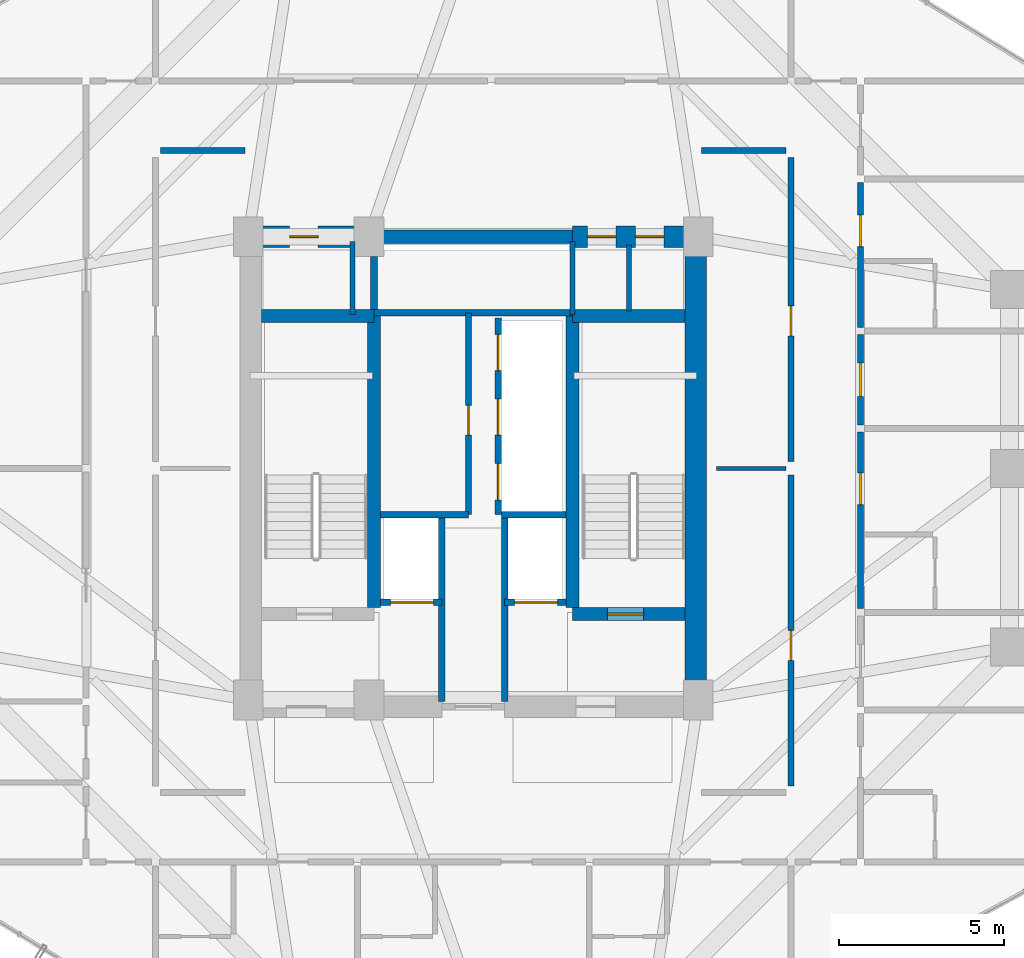
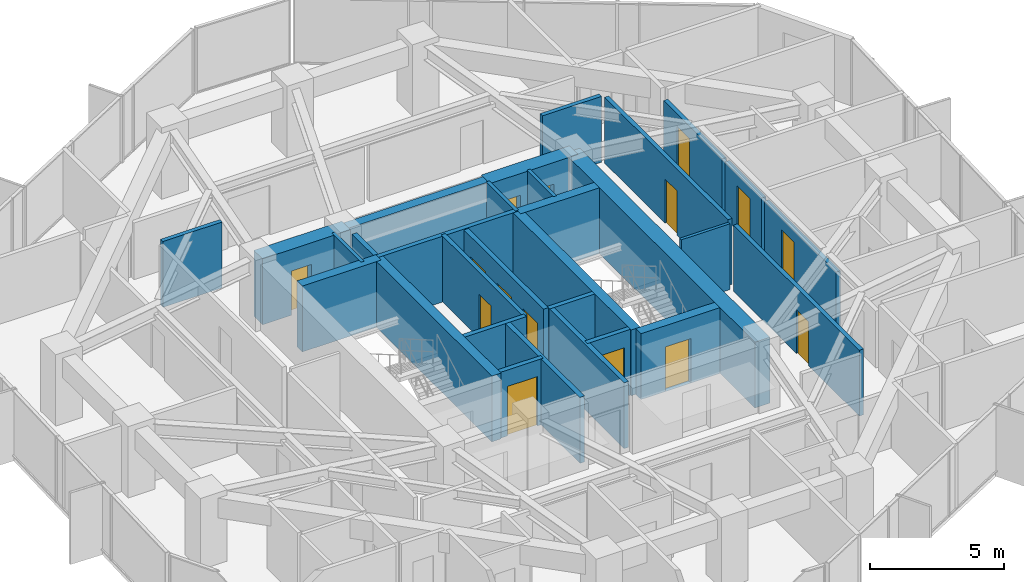
# One storey, part 27 of 30: 30 walls, 15 doors, 15 openings.
"""IFC4 building model written with IfcOpenShell, lengths in metres."""

from ifc_helpers import new_model, si_unit, direction, frame, frame_2d, origin, place, context, subcontext, project, spatial, rectangle, extrude, source, transform, mapped, material, layer, layer_set, type_object, element, fill, save


model = new_model("IFC4")

# Units and contexts
model_context = context("Model", 3, precision=1e-05, world=origin(), true_north=direction((0.0, 1.0)))
body_context = subcontext(model_context, "Body", "Model", "MODEL_VIEW")
ifc_project = project(units=[si_unit("LENGTHUNIT", "METRE"), si_unit("AREAUNIT", "SQUARE_METRE"), si_unit("VOLUMEUNIT", "CUBIC_METRE"), si_unit("PLANEANGLEUNIT", "RADIAN"), si_unit("MASSUNIT", "GRAM", prefix="KILO")], contexts=[model_context])

# Site, building, storey
site_placement = place(None, origin())
site = spatial("IfcSite", under=ifc_project, at=site_placement, CompositionType="ELEMENT")
building_placement = place(site_placement, origin())
building = spatial("IfcBuilding", under=site, at=building_placement, Name="Veraguas Prism Commons", CompositionType="ELEMENT")
storey_placement = place(building_placement, frame((0.0, 0.0, 123.0)))
storey = spatial("IfcBuildingStorey", under=building, at=storey_placement, Name="L34", CompositionType="ELEMENT", Elevation=123.0)

# Wall
ifc_material_1 = material(Name="Concrete C50/60", Category="concrete")
ifc_layer_1 = layer(ifc_material_1, 0.39990234375, Name="Clinic and Mid Core Shear Wall RC 400", Category="concrete")
ifc_layer_set_1 = layer_set([ifc_layer_1], Name="Concrete C50/60")
wall_type_1 = type_object("IfcWallType", Name="Clinic and Mid Core Shear Wall RC 400", PredefinedType="SHEAR", material=ifc_layer_set_1)
wall_1_placement = place(storey_placement, frame((21.0, 31.0, 0.0), z_axis=(0.0, 0.0, 1.0), x_axis=(1.0, 0.0, 0.0)))
element("IfcWall", 1, at=wall_1_placement, inside=storey, type_object=wall_type_1, Name="High-Rise Lift Bank Front Shear Wall L34", PredefinedType="SHEAR", context=body_context, shape_type="SweptSolid", body=[
    extrude(rectangle(XDim=6.0, YDim=0.39990234375, at=frame_2d((3.0, 0.0))), origin(), (0.0, 0.0, 1.0), 3.0),
])

# Wall, opening, door
wall_2_placement = place(storey_placement, frame((27.0, 19.60009765625, 0.0), z_axis=(0.0, 0.0, 1.0), x_axis=(1.0, 0.0, 0.0)))
wall_2 = element("IfcWall", 2, at=wall_2_placement, inside=storey, type_object=wall_type_1, Name="Stair ST-02 South Shear Wall L34", PredefinedType="SHEAR", context=body_context, shape_type="SweptSolid", body=[
    extrude(rectangle(XDim=3.39990234375, YDim=0.39990234375, at=frame_2d((1.699951171875, 0.0))), origin(), (0.0, 0.0, 1.0), 3.0),
])
opening_1_placement = place(wall_2_placement, frame((1.050048828125, 0.0, 0.0)))
opening_1 = element("IfcOpeningElement", 3, at=opening_1_placement, cuts=wall_2, Name="Opening DR-05", PredefinedType="OPENING", context=body_context, shape_type="SweptSolid", body=[
    extrude(rectangle(XDim=1.10009765625, YDim=2.030029296875, at=frame_2d((0.550048828125, 1.01513671875))), frame((0.0, 0.2099609375, 0.0), z_axis=(0.0, -1.0, 0.0), x_axis=(1.0, 0.0, 0.0)), (0.0, 0.0, 1.0), 0.419921875),
])
ifc_material_2 = material(Name="Steel fire-rated door assembly", Category="steel")
door_type_1 = type_object("IfcDoorType", Name="Protected Stair and Refuge Fire Door 1100x2030", OperationType="NOTDEFINED", PredefinedType="DOOR", material=ifc_material_2)
shared_shape_1 = source(origin(), body_context, "Body", "SweptSolid", [
    extrude(rectangle(XDim=1.10009765625, YDim=2.030029296875, at=frame_2d((0.550048828125, 1.01513671875))), frame((0.0, 0.02490234375, 0.0), z_axis=(0.0, -1.0, 0.0), x_axis=(1.0, 0.0, 0.0)), (0.0, 0.0, 1.0), 0.050048828125),
])
door_1_placement = place(opening_1_placement, origin())
door_1 = element("IfcDoor", 4, at=door_1_placement, inside=storey, type_object=door_type_1, Name="Stair ST-02 Enclosure Door L34", OperationType="SINGLE_SWING_LEFT", OverallHeight=2.030029296875, OverallWidth=1.10009765625, PredefinedType="DOOR", context=body_context, shape_type="MappedRepresentation", body=[
    mapped(shared_shape_1, transform((0.0, 0.0, 0.0), scale=1.0)),
])
fill(opening_1, door_1)

# Walls
for number, where, z_axis, x_axis, name in (
    (5, (21.0, 19.800048828125, 0.0), (0.0, 0.0, 1.0), (0.0, 1.0, 0.0), "Stair ST-01 Inner Shear Wall L34"),
    (6, (27.0, 19.800048828125, 0.0), (0.0, 0.0, 1.0), (0.0, 1.0, 0.0), "Stair ST-02 Inner Shear Wall L34"),
):
    element("IfcWall", number, at=place(storey_placement, frame(where, z_axis=z_axis, x_axis=x_axis)), inside=storey, type_object=wall_type_1, Name=name, PredefinedType="SHEAR", context=body_context, shape_type="SweptSolid", body=[
        extrude(rectangle(XDim=8.800048828125, YDim=0.39990234375, at=frame_2d((4.39990234375, 0.0))), origin(), (0.0, 0.0, 1.0), 3.0),
    ])
for number, where, z_axis, x_axis, name in (
    (7, (17.60009765625, 28.60009765625, 0.0), (0.0, 0.0, 1.0), (1.0, 0.0, 0.0), "Stair ST-01 North Shear Wall L34"),
    (8, (27.0, 28.60009765625, 0.0), (0.0, 0.0, 1.0), (1.0, 0.0, 0.0), "Stair ST-02 North Shear Wall L34"),
):
    element("IfcWall", number, at=place(storey_placement, frame(where, z_axis=z_axis, x_axis=x_axis)), inside=storey, type_object=wall_type_1, Name=name, PredefinedType="SHEAR", context=body_context, shape_type="SweptSolid", body=[
        extrude(rectangle(XDim=3.39990234375, YDim=0.39990234375, at=frame_2d((1.699951171875, 0.0))), origin(), (0.0, 0.0, 1.0), 3.0),
    ])
ifc_material_3 = material(Name="Concrete C55/67", Category="concrete")
ifc_layer_2 = layer(ifc_material_3, 0.64990234375, Name="Core Outer Shear Wall Mid RC 650", Category="concrete")
ifc_layer_set_2 = layer_set([ifc_layer_2], Name="Concrete C55/67")
wall_type_2 = type_object("IfcWallType", Name="Core Outer Shear Wall Mid RC 650", PredefinedType="SHEAR", material=ifc_layer_set_2)
wall_3_placement = place(storey_placement, frame((30.72509765625, 16.800048828125, 0.0), z_axis=(0.0, 0.0, 1.0), x_axis=(0.0, 1.0, 0.0)))
element("IfcWall", 9, at=wall_3_placement, inside=storey, type_object=wall_type_2, Name="Central Core East Shear Wall L34", PredefinedType="SHEAR", context=body_context, shape_type="SweptSolid", body=[
    extrude(rectangle(XDim=14.199951171875, YDim=0.64990234375, at=frame_2d((7.10009765625, 0.0))), origin(), (0.0, 0.0, 1.0), 3.0),
])

# Wall, opening, door
wall_4_placement = place(storey_placement, frame((17.199951171875, 31.0, 0.0), z_axis=(0.0, 0.0, 1.0), x_axis=(1.0, 0.0, 0.0)))
wall_4 = element("IfcWall", 10, at=wall_4_placement, inside=storey, type_object=wall_type_2, Name="Central Core North-West Shear Wall L34", PredefinedType="SHEAR", context=body_context, shape_type="SweptSolid", body=[
    extrude(rectangle(XDim=3.800048828125, YDim=0.64990234375, at=frame_2d((1.89990234375, 0.0))), origin(), (0.0, 0.0, 1.0), 3.0),
])
opening_2_placement = place(wall_4_placement, frame((1.25, 0.0, 0.0)))
opening_2 = element("IfcOpeningElement", 11, at=opening_2_placement, cuts=wall_4, Name="Opening DR-12", PredefinedType="OPENING", context=body_context, shape_type="SweptSolid", body=[
    extrude(rectangle(XDim=0.860107421875, YDim=2.010009765625, at=frame_2d((0.43017578125, 1.0048828125))), frame((0.0, 0.3349609375, 0.0), z_axis=(0.0, -1.0, 0.0), x_axis=(1.0, 0.0, 0.0)), (0.0, 0.0, 1.0), 0.669921875),
])
door_type_2 = type_object("IfcDoorType", Name="Core WC Fire Door 860x2010", OperationType="NOTDEFINED", PredefinedType="DOOR", material=ifc_material_2)
shared_shape_2 = source(origin(), body_context, "Body", "SweptSolid", [
    extrude(rectangle(XDim=0.860107421875, YDim=2.010009765625, at=frame_2d((0.43017578125, 1.0048828125))), frame((0.0, 0.02490234375, 0.0), z_axis=(0.0, -1.0, 0.0), x_axis=(1.0, 0.0, 0.0)), (0.0, 0.0, 1.0), 0.050048828125),
])
door_2_placement = place(opening_2_placement, origin())
door_2 = element("IfcDoor", 12, at=door_2_placement, inside=storey, type_object=door_type_2, Name="Core NW Service Door L34", OperationType="SINGLE_SWING_LEFT", OverallHeight=2.010009765625, OverallWidth=0.860107421875, PredefinedType="DOOR", context=body_context, shape_type="MappedRepresentation", body=[
    mapped(shared_shape_2, transform((0.0, 0.0, 0.0), scale=1.0)),
])
fill(opening_2, door_2)

# Wall, openings, doors
wall_5_placement = place(storey_placement, frame((27.0, 31.0, 0.0), z_axis=(0.0, 0.0, 1.0), x_axis=(1.0, 0.0, 0.0)))
wall_5 = element("IfcWall", 13, at=wall_5_placement, inside=storey, type_object=wall_type_2, Name="Central Core North-East Shear Wall L34", PredefinedType="SHEAR", context=body_context, shape_type="SweptSolid", body=[
    extrude(rectangle(XDim=3.800048828125, YDim=0.64990234375, at=frame_2d((1.89990234375, 0.0))), origin(), (0.0, 0.0, 1.0), 3.0),
])
opening_3_placement = place(wall_5_placement, frame((0.449951171875, 0.0, 0.0)))
opening_3 = element("IfcOpeningElement", 14, at=opening_3_placement, cuts=wall_5, Name="Opening DR-12", PredefinedType="OPENING", context=body_context, shape_type="SweptSolid", body=[
    extrude(rectangle(XDim=0.860107421875, YDim=2.010009765625, at=frame_2d((0.43017578125, 1.0048828125))), frame((0.0, 0.3349609375, 0.0), z_axis=(0.0, -1.0, 0.0), x_axis=(1.0, 0.0, 0.0)), (0.0, 0.0, 1.0), 0.669921875),
])
opening_4_placement = place(wall_5_placement, frame((1.89990234375, 0.0, 0.0)))
opening_4 = element("IfcOpeningElement", 15, at=opening_4_placement, cuts=wall_5, Name="Opening DR-12", PredefinedType="OPENING", context=body_context, shape_type="SweptSolid", body=[
    extrude(rectangle(XDim=0.860107421875, YDim=2.010009765625, at=frame_2d((0.43017578125, 1.0048828125))), frame((0.0, 0.3349609375, 0.0), z_axis=(0.0, -1.0, 0.0), x_axis=(1.0, 0.0, 0.0)), (0.0, 0.0, 1.0), 0.669921875),
])
door_3_placement = place(opening_3_placement, origin())
door_3 = element("IfcDoor", 16, at=door_3_placement, inside=storey, type_object=door_type_2, Name="Core NE Room A Door L34", OperationType="SINGLE_SWING_RIGHT", OverallHeight=2.010009765625, OverallWidth=0.860107421875, PredefinedType="DOOR", context=body_context, shape_type="MappedRepresentation", body=[
    mapped(shared_shape_2, transform((0.0, 0.0, 0.0), scale=1.0)),
])
fill(opening_3, door_3)
door_4_placement = place(opening_4_placement, origin())
door_4 = element("IfcDoor", 17, at=door_4_placement, inside=storey, type_object=door_type_2, Name="Core NE Room B Door L34", OperationType="SINGLE_SWING_LEFT", OverallHeight=2.010009765625, OverallWidth=0.860107421875, PredefinedType="DOOR", context=body_context, shape_type="MappedRepresentation", body=[
    mapped(shared_shape_2, transform((0.0, 0.0, 0.0), scale=1.0)),
])
fill(opening_4, door_4)

# Wall, opening, door
ifc_material_4 = material(Name="Autoclaved aerated masonry block 10 MPa", Category="masonry")
ifc_layer_3 = layer(ifc_material_4, 0.179931640625, Name="Corridor and Inter-Tenancy Partition 180", Category="masonry")
ifc_layer_set_3 = layer_set([ifc_layer_3], Name="Autoclaved aerated masonry block 10 MPa")
wall_type_3 = type_object("IfcWallType", Name="Corridor and Inter-Tenancy Partition 180", PredefinedType="PARTITIONING", material=ifc_layer_set_3)
wall_6_placement = place(storey_placement, frame((23.85009765625, 22.60009765625, 0.0), z_axis=(0.0, 0.0, 1.0), x_axis=(0.0, 1.0, 0.0)))
wall_6 = element("IfcWall", 18, at=wall_6_placement, inside=storey, type_object=wall_type_3, Name="Reading Room Partition L34", PredefinedType="PARTITIONING", context=body_context, shape_type="SweptSolid", body=[
    extrude(rectangle(XDim=6.099853515625, YDim=0.179931640625, at=frame_2d((3.0498046875, 0.0))), origin(), (0.0, 0.0, 1.0), 3.0),
])
opening_5_placement = place(wall_6_placement, frame((2.39990234375, 0.0, 0.0)))
opening_5 = element("IfcOpeningElement", 19, at=opening_5_placement, cuts=wall_6, Name="Opening DR-14", PredefinedType="OPENING", context=body_context, shape_type="SweptSolid", body=[
    extrude(rectangle(XDim=0.89990234375, YDim=2.010009765625, at=frame_2d((0.449951171875, 1.0048828125))), frame((0.0, 0.099853515625, 0.0), z_axis=(0.0, -1.0, 0.0), x_axis=(1.0, 0.0, 0.0)), (0.0, 0.0, 1.0), 0.199951171875),
])
door_type_3 = type_object("IfcDoorType", Name="Core Service Room Fire Door 900x2010", OperationType="NOTDEFINED", PredefinedType="DOOR", material=ifc_material_2)
shared_shape_3 = source(origin(), body_context, "Body", "SweptSolid", [
    extrude(rectangle(XDim=0.89990234375, YDim=2.010009765625, at=frame_2d((0.449951171875, 1.0048828125))), frame((0.0, 0.02490234375, 0.0), z_axis=(0.0, -1.0, 0.0), x_axis=(1.0, 0.0, 0.0)), (0.0, 0.0, 1.0), 0.050048828125),
])
door_5_placement = place(opening_5_placement, origin())
door_5 = element("IfcDoor", 20, at=door_5_placement, inside=storey, type_object=door_type_3, Name="Reading Room Door L34", OperationType="SINGLE_SWING_RIGHT", OverallHeight=2.010009765625, OverallWidth=0.89990234375, PredefinedType="DOOR", context=body_context, shape_type="MappedRepresentation", body=[
    mapped(shared_shape_3, transform((0.0, 0.0, 0.0), scale=1.0)),
])
fill(opening_5, door_5)

wall_7_placement = place(storey_placement, frame((33.60009765625, 14.39990234375, 0.0), z_axis=(0.0, 0.0, 1.0), x_axis=(0.0, 1.0, 0.0)))
wall_7 = element("IfcWall", 21, at=wall_7_placement, inside=storey, type_object=wall_type_3, Name="WL-L34-IRE1", PredefinedType="PARTITIONING", context=body_context, shape_type="SweptSolid", body=[
    extrude(rectangle(XDim=9.400146484375, YDim=0.179931640625, at=frame_2d((4.7001953125, 0.0))), origin(), (0.0, 0.0, 1.0), 3.0),
])
opening_6_placement = place(wall_7_placement, frame((3.800048828125, 0.0, 0.0)))
opening_6 = element("IfcOpeningElement", 22, at=opening_6_placement, cuts=wall_7, Name="Opening DR-14", PredefinedType="OPENING", context=body_context, shape_type="SweptSolid", body=[
    extrude(rectangle(XDim=0.89990234375, YDim=2.010009765625, at=frame_2d((0.449951171875, 1.0048828125))), frame((0.0, 0.099853515625, 0.0), z_axis=(0.0, -1.0, 0.0), x_axis=(1.0, 0.0, 0.0)), (0.0, 0.0, 1.0), 0.199951171875),
])
door_6_placement = place(opening_6_placement, origin())
door_6 = element("IfcDoor", 23, at=door_6_placement, inside=storey, type_object=door_type_3, Name="Shared Laundry Annex Door L34", OperationType="SINGLE_SWING_LEFT", OverallHeight=2.010009765625, OverallWidth=0.89990234375, PredefinedType="DOOR", context=body_context, shape_type="MappedRepresentation", body=[
    mapped(shared_shape_3, transform((0.0, 0.0, 0.0), scale=1.0)),
])
fill(opening_6, door_6)

wall_8_placement = place(storey_placement, frame((33.60009765625, 24.199951171875, 0.0), z_axis=(0.0, 0.0, 1.0), x_axis=(0.0, 1.0, 0.0)))
wall_8 = element("IfcWall", 24, at=wall_8_placement, inside=storey, type_object=wall_type_3, Name="WL-L34-IRE2", PredefinedType="PARTITIONING", context=body_context, shape_type="SweptSolid", body=[
    extrude(rectangle(XDim=9.199951171875, YDim=0.179931640625, at=frame_2d((4.60009765625, 0.0))), origin(), (0.0, 0.0, 1.0), 3.0),
])
opening_7_placement = place(wall_8_placement, frame((3.800048828125, 0.0, 0.0)))
opening_7 = element("IfcOpeningElement", 25, at=opening_7_placement, cuts=wall_8, Name="Opening DR-14", PredefinedType="OPENING", context=body_context, shape_type="SweptSolid", body=[
    extrude(rectangle(XDim=0.89990234375, YDim=2.010009765625, at=frame_2d((0.449951171875, 1.0048828125))), frame((0.0, 0.099853515625, 0.0), z_axis=(0.0, -1.0, 0.0), x_axis=(1.0, 0.0, 0.0)), (0.0, 0.0, 1.0), 0.199951171875),
])
door_7_placement = place(opening_7_placement, origin())
door_7 = element("IfcDoor", 26, at=door_7_placement, inside=storey, type_object=door_type_3, Name="Community Reading Alcove Door L34", OperationType="SINGLE_SWING_RIGHT", OverallHeight=2.010009765625, OverallWidth=0.89990234375, PredefinedType="DOOR", context=body_context, shape_type="MappedRepresentation", body=[
    mapped(shared_shape_3, transform((0.0, 0.0, 0.0), scale=1.0)),
])
fill(opening_7, door_7)

# Walls
for number, where, z_axis, x_axis, name in (
    (27, (14.550048828125, 33.60009765625, 0.0), (0.0, 0.0, 1.0), (1.0, 0.0, 0.0), "WL-L34-IRWN"),
    (28, (30.89990234375, 33.60009765625, 0.0), (0.0, 0.0, 1.0), (1.0, 0.0, 0.0), "WL-L34-IREN"),
):
    element("IfcWall", number, at=place(storey_placement, frame(where, z_axis=z_axis, x_axis=x_axis)), inside=storey, type_object=wall_type_3, Name=name, PredefinedType="PARTITIONING", context=body_context, shape_type="SweptSolid", body=[
        extrude(rectangle(XDim=2.550048828125, YDim=0.179931640625, at=frame_2d((1.27490234375, 0.0))), origin(), (0.0, 0.0, 1.0), 3.0),
    ])

# Wall, opening, door
wall_9_placement = place(storey_placement, frame((35.699951171875, 25.31201171875, 0.0), z_axis=(0.0, 0.0, 1.0), x_axis=(0.0, 1.0, 0.0)))
wall_9 = element("IfcWall", 29, at=wall_9_placement, inside=storey, type_object=wall_type_3, Name="WL-L34-PT037", PredefinedType="PARTITIONING", context=body_context, shape_type="SweptSolid", body=[
    extrude(rectangle(XDim=2.72998046875, YDim=0.179931640625, at=frame_2d((1.364990234375, 0.0))), origin(), (0.0, 0.0, 1.0), 2.580078125),
])
opening_8_placement = place(wall_9_placement, frame((0.864990234375, 0.0, 0.0)))
opening_8 = element("IfcOpeningElement", 30, at=opening_8_placement, cuts=wall_9, Name="Opening DR-13", PredefinedType="OPENING", context=body_context, shape_type="SweptSolid", body=[
    extrude(rectangle(XDim=1.0, YDim=2.010009765625, at=frame_2d((0.5, 1.0048828125))), frame((0.0, 0.099853515625, 0.0), z_axis=(0.0, -1.0, 0.0), x_axis=(1.0, 0.0, 0.0)), (0.0, 0.0, 1.0), 0.199951171875),
])
door_type_4 = type_object("IfcDoorType", Name="Core Accessible WC and Clinic Fire Door 1000x2010", OperationType="NOTDEFINED", PredefinedType="DOOR", material=ifc_material_2)
shared_shape_4 = source(origin(), body_context, "Body", "SweptSolid", [
    extrude(rectangle(XDim=1.0, YDim=2.010009765625, at=frame_2d((0.5, 1.0048828125))), frame((0.0, 0.02490234375, 0.0), z_axis=(0.0, -1.0, 0.0), x_axis=(1.0, 0.0, 0.0)), (0.0, 0.0, 1.0), 0.050048828125),
])
door_8_placement = place(opening_8_placement, origin())
door_8 = element("IfcDoor", 31, at=door_8_placement, inside=storey, type_object=door_type_4, Name="Quiet Study E Door", OperationType="SINGLE_SWING_RIGHT", OverallHeight=2.010009765625, OverallWidth=1.0, PredefinedType="DOOR", context=body_context, shape_type="MappedRepresentation", body=[
    mapped(shared_shape_4, transform((0.0, 0.0, 0.0), scale=1.0)),
])
fill(opening_8, door_8)

wall_10_placement = place(storey_placement, frame((35.699951171875, 19.758056640625, 0.0), z_axis=(0.0, 0.0, 1.0), x_axis=(0.0, 1.0, 0.0)))
wall_10 = element("IfcWall", 32, at=wall_10_placement, inside=storey, type_object=wall_type_3, Name="WL-L34-PT039", PredefinedType="PARTITIONING", context=body_context, shape_type="SweptSolid", body=[
    extrude(rectangle(XDim=5.333984375, YDim=0.179931640625, at=frame_2d((2.6669921875, 0.0))), origin(), (0.0, 0.0, 1.0), 2.580078125),
])
opening_9_placement = place(wall_10_placement, frame((3.148193359375, 0.0, 0.0)))
opening_9 = element("IfcOpeningElement", 33, at=opening_9_placement, cuts=wall_10, Name="Opening DR-01", PredefinedType="OPENING", context=body_context, shape_type="SweptSolid", body=[
    extrude(rectangle(XDim=0.949951171875, YDim=2.02001953125, at=frame_2d((0.47509765625, 1.010009765625))), frame((0.0, 0.099853515625, 0.0), z_axis=(0.0, -1.0, 0.0), x_axis=(1.0, 0.0, 0.0)), (0.0, 0.0, 1.0), 0.199951171875),
])
ifc_material_5 = material(Name="Anodised aluminium EN AW-6063 T6", Category="aluminium")
door_type_5 = type_object("IfcDoorType", Name="Apartment Entrance Fire Door 950x2020", OperationType="NOTDEFINED", PredefinedType="DOOR", material=ifc_material_5)
shared_shape_5 = source(origin(), body_context, "Body", "SweptSolid", [
    extrude(rectangle(XDim=0.949951171875, YDim=2.02001953125, at=frame_2d((0.47509765625, 1.010009765625))), frame((0.0, 0.02490234375, 0.0), z_axis=(0.0, -1.0, 0.0), x_axis=(1.0, 0.0, 0.0)), (0.0, 0.0, 1.0), 0.050048828125),
])
door_9_placement = place(opening_9_placement, origin())
door_9 = element("IfcDoor", 34, at=door_9_placement, inside=storey, type_object=door_type_5, Name="Studio 34E Entrance Door", OperationType="SINGLE_SWING_LEFT", OverallHeight=2.02001953125, OverallWidth=0.949951171875, PredefinedType="DOOR", context=body_context, shape_type="MappedRepresentation", body=[
    mapped(shared_shape_5, transform((0.0, 0.0, 0.0), scale=1.0)),
])
fill(opening_9, door_9)

wall_11_placement = place(storey_placement, frame((35.699951171875, 28.261962890625, 0.0), z_axis=(0.0, 0.0, 1.0), x_axis=(0.0, 1.0, 0.0)))
wall_11 = element("IfcWall", 35, at=wall_11_placement, inside=storey, type_object=wall_type_3, Name="WL-L34-PT045", PredefinedType="PARTITIONING", context=body_context, shape_type="SweptSolid", body=[
    extrude(rectangle(XDim=4.3779296875, YDim=0.179931640625, at=frame_2d((2.18896484375, 0.0))), origin(), (0.0, 0.0, 1.0), 2.580078125),
])
opening_10_placement = place(wall_11_placement, frame((2.440673828125, 0.0, 0.0)))
opening_10 = element("IfcOpeningElement", 36, at=opening_10_placement, cuts=wall_11, Name="Opening DR-01", PredefinedType="OPENING", context=body_context, shape_type="SweptSolid", body=[
    extrude(rectangle(XDim=0.949951171875, YDim=2.02001953125, at=frame_2d((0.47509765625, 1.010009765625))), frame((0.0, 0.099853515625, 0.0), z_axis=(0.0, -1.0, 0.0), x_axis=(1.0, 0.0, 0.0)), (0.0, 0.0, 1.0), 0.199951171875),
])
door_10_placement = place(opening_10_placement, origin())
door_10 = element("IfcDoor", 37, at=door_10_placement, inside=storey, type_object=door_type_5, Name="Studio 34F Entrance Door", OperationType="SINGLE_SWING_RIGHT", OverallHeight=2.02001953125, OverallWidth=0.949951171875, PredefinedType="DOOR", context=body_context, shape_type="MappedRepresentation", body=[
    mapped(shared_shape_5, transform((0.0, 0.0, 0.0), scale=1.0)),
])
fill(opening_10, door_10)

# Wall
ifc_material_6 = material(Name="Lightweight acoustic gypsum board")
ifc_layer_4 = layer(ifc_material_6, 0.125, Name="Internal Apartment Room Partition 125")
ifc_layer_set_4 = layer_set([ifc_layer_4], Name="Lightweight acoustic gypsum board")
wall_type_4 = type_object("IfcWallType", Name="Internal Apartment Room Partition 125", PredefinedType="PARTITIONING", material=ifc_layer_set_4)
wall_12_placement = place(storey_placement, frame((31.35009765625, 24.0, 0.0), z_axis=(0.0, 0.0, 1.0), x_axis=(1.0, 0.0, 0.0)))
element("IfcWall", 38, at=wall_12_placement, inside=storey, type_object=wall_type_4, Name="WL-L34-IREM", PredefinedType="PARTITIONING", context=body_context, shape_type="SweptSolid", body=[
    extrude(rectangle(XDim=2.099853515625, YDim=0.125, at=frame_2d((1.0498046875, 0.0))), origin(), (0.0, 0.0, 1.0), 3.0),
])

# Wall, opening, door
ifc_layer_5 = layer(ifc_material_4, 0.199951171875, Name="Rated Shaft and Lobby Block Wall 200", Category="masonry")
ifc_layer_set_5 = layer_set([ifc_layer_5], Name="Autoclaved aerated masonry block 10 MPa")
wall_type_5 = type_object("IfcWallType", Name="Rated Shaft and Lobby Block Wall 200", PredefinedType="SOLIDWALL", material=ifc_layer_set_5)
wall_13_placement = place(storey_placement, frame((21.199951171875, 19.949951171875, 0.0), z_axis=(0.0, 0.0, 1.0), x_axis=(1.0, 0.0, 0.0)))
wall_13 = element("IfcWall", 39, at=wall_13_placement, inside=storey, type_object=wall_type_5, Name="Firefighting Lift FFL-1 Front Wall L34", PredefinedType="SOLIDWALL", context=body_context, shape_type="SweptSolid", body=[
    extrude(rectangle(XDim=1.85009765625, YDim=0.199951171875, at=frame_2d((0.925048828125, 0.0))), origin(), (0.0, 0.0, 1.0), 3.0),
])
opening_11_placement = place(wall_13_placement, frame((0.300048828125, 0.0, 0.0)))
opening_11 = element("IfcOpeningElement", 40, at=opening_11_placement, cuts=wall_13, Name="Opening LD-02", PredefinedType="OPENING", context=body_context, shape_type="SweptSolid", body=[
    extrude(rectangle(XDim=1.300048828125, YDim=2.25, at=frame_2d((0.64990234375, 1.125))), frame((0.0, 0.10986328125, 0.0), z_axis=(0.0, -1.0, 0.0), x_axis=(1.0, 0.0, 0.0)), (0.0, 0.0, 1.0), 0.219970703125),
])
ifc_material_7 = material(Name="Stainless steel AISI 316", Category="steel")
door_type_6 = type_object("IfcDoorType", Name="Firefighting Lift Sliding Landing Door 1300x2250", OperationType="NOTDEFINED", PredefinedType="DOOR", material=ifc_material_7)
shared_shape_6 = source(origin(), body_context, "Body", "SweptSolid", [
    extrude(rectangle(XDim=1.300048828125, YDim=2.25, at=frame_2d((0.64990234375, 1.125))), frame((0.0, 0.02490234375, 0.0), z_axis=(0.0, -1.0, 0.0), x_axis=(1.0, 0.0, 0.0)), (0.0, 0.0, 1.0), 0.050048828125),
])
door_11_placement = place(opening_11_placement, origin())
door_11 = element("IfcDoor", 41, at=door_11_placement, inside=storey, type_object=door_type_6, Name="Firefighting Lift FFL-1 Landing Door L34", OperationType="SLIDING_TO_LEFT", OverallHeight=2.25, OverallWidth=1.300048828125, PredefinedType="DOOR", context=body_context, shape_type="MappedRepresentation", body=[
    mapped(shared_shape_6, transform((0.0, 0.0, 0.0), scale=1.0)),
])
fill(opening_11, door_11)

wall_14_placement = place(storey_placement, frame((24.949951171875, 19.949951171875, 0.0), z_axis=(0.0, 0.0, 1.0), x_axis=(1.0, 0.0, 0.0)))
wall_14 = element("IfcWall", 42, at=wall_14_placement, inside=storey, type_object=wall_type_5, Name="Firefighting Lift FFL-2 Front Wall L34", PredefinedType="SOLIDWALL", context=body_context, shape_type="SweptSolid", body=[
    extrude(rectangle(XDim=1.85009765625, YDim=0.199951171875, at=frame_2d((0.925048828125, 0.0))), origin(), (0.0, 0.0, 1.0), 3.0),
])
opening_12_placement = place(wall_14_placement, frame((0.300048828125, 0.0, 0.0)))
opening_12 = element("IfcOpeningElement", 43, at=opening_12_placement, cuts=wall_14, Name="Opening LD-02", PredefinedType="OPENING", context=body_context, shape_type="SweptSolid", body=[
    extrude(rectangle(XDim=1.300048828125, YDim=2.25, at=frame_2d((0.64990234375, 1.125))), frame((0.0, 0.10986328125, 0.0), z_axis=(0.0, -1.0, 0.0), x_axis=(1.0, 0.0, 0.0)), (0.0, 0.0, 1.0), 0.219970703125),
])
door_12_placement = place(opening_12_placement, origin())
door_12 = element("IfcDoor", 44, at=door_12_placement, inside=storey, type_object=door_type_6, Name="Firefighting Lift FFL-2 Front Wall L34", OperationType="SLIDING_TO_LEFT", OverallHeight=2.25, OverallWidth=1.300048828125, PredefinedType="DOOR", context=body_context, shape_type="MappedRepresentation", body=[
    mapped(shared_shape_6, transform((0.0, 0.0, 0.0), scale=1.0)),
])
fill(opening_12, door_12)

# Walls
for number, where, z_axis, x_axis, name in (
    (45, (23.050048828125, 16.949951171875, 0.0), (0.0, 0.0, 1.0), (0.0, 1.0, 0.0), "West FF Lobby Divider Wall L34"),
    (46, (24.949951171875, 16.949951171875, 0.0), (0.0, 0.0, 1.0), (0.0, 1.0, 0.0), "East FF Lobby Divider Wall L34"),
):
    element("IfcWall", number, at=place(storey_placement, frame(where, z_axis=z_axis, x_axis=x_axis)), inside=storey, type_object=wall_type_5, Name=name, PredefinedType="SOLIDWALL", context=body_context, shape_type="SweptSolid", body=[
        extrude(rectangle(XDim=5.60009765625, YDim=0.199951171875, at=frame_2d((2.800048828125, 0.0))), origin(), (0.0, 0.0, 1.0), 3.0),
    ])
wall_15_placement = place(storey_placement, frame((21.199951171875, 22.60009765625, 0.0), z_axis=(0.0, 0.0, 1.0), x_axis=(1.0, 0.0, 0.0)))
element("IfcWall", 47, at=wall_15_placement, inside=storey, type_object=wall_type_5, Name="Firefighting Lift FFL-1 Rear Wall L34", PredefinedType="SOLIDWALL", context=body_context, shape_type="SweptSolid", body=[
    extrude(rectangle(XDim=2.650146484375, YDim=0.199951171875, at=frame_2d((1.3251953125, 0.0))), origin(), (0.0, 0.0, 1.0), 3.0),
])
wall_16_placement = place(storey_placement, frame((24.85009765625, 22.60009765625, 0.0), z_axis=(0.0, 0.0, 1.0), x_axis=(1.0, 0.0, 0.0)))
element("IfcWall", 48, at=wall_16_placement, inside=storey, type_object=wall_type_5, Name="Firefighting Lift FFL-2 Rear Wall L34", PredefinedType="SOLIDWALL", context=body_context, shape_type="SweptSolid", body=[
    extrude(rectangle(XDim=1.949951171875, YDim=0.199951171875, at=frame_2d((0.97509765625, 0.0))), origin(), (0.0, 0.0, 1.0), 3.0),
])
wall_17_placement = place(storey_placement, frame((21.0, 28.699951171875, 0.0), z_axis=(0.0, 0.0, 1.0), x_axis=(1.0, 0.0, 0.0)))
element("IfcWall", 49, at=wall_17_placement, inside=storey, type_object=wall_type_5, Name="High-Rise Lift Bank Rear Shaft Wall L34", PredefinedType="SOLIDWALL", context=body_context, shape_type="SweptSolid", body=[
    extrude(rectangle(XDim=6.0, YDim=0.199951171875, at=frame_2d((3.0, 0.0))), origin(), (0.0, 0.0, 1.0), 3.0),
])
wall_18_placement = place(storey_placement, frame((21.0, 28.800048828125, 0.0), z_axis=(0.0, 0.0, 1.0), x_axis=(0.0, 1.0, 0.0)))
element("IfcWall", 50, at=wall_18_placement, inside=storey, type_object=wall_type_5, Name="High-Rise Lift Bank West Shaft Wall L34", PredefinedType="SOLIDWALL", context=body_context, shape_type="SweptSolid", body=[
    extrude(rectangle(XDim=1.599853515625, YDim=0.199951171875, at=frame_2d((0.7998046875, 0.0))), origin(), (0.0, 0.0, 1.0), 3.0),
])

# Wall, openings, doors
wall_19_placement = place(storey_placement, frame((24.75, 22.60009765625, 0.0), z_axis=(0.0, 0.0, 1.0), x_axis=(0.0, 1.0, 0.0)))
wall_19 = element("IfcWall", 51, at=wall_19_placement, inside=storey, type_object=wall_type_5, Name="Mid-Rise Lift Bank Front Wall L34", PredefinedType="SOLIDWALL", context=body_context, shape_type="SweptSolid", body=[
    extrude(rectangle(XDim=5.949951171875, YDim=0.199951171875, at=frame_2d((2.97509765625, 0.0))), origin(), (0.0, 0.0, 1.0), 3.0),
])
opening_13_placement = place(wall_19_placement, frame((0.449951171875, 0.0, 0.0)))
opening_13 = element("IfcOpeningElement", 52, at=opening_13_placement, cuts=wall_19, Name="Opening LD-01", PredefinedType="OPENING", context=body_context, shape_type="SweptSolid", body=[
    extrude(rectangle(XDim=1.10009765625, YDim=2.080078125, at=frame_2d((0.550048828125, 1.0400390625))), frame((0.0, 0.10986328125, 0.0), z_axis=(0.0, -1.0, 0.0), x_axis=(1.0, 0.0, 0.0)), (0.0, 0.0, 1.0), 0.219970703125),
])
opening_14_placement = place(wall_19_placement, frame((2.39990234375, 0.0, 0.0)))
opening_14 = element("IfcOpeningElement", 53, at=opening_14_placement, cuts=wall_19, Name="Opening LD-01", PredefinedType="OPENING", context=body_context, shape_type="SweptSolid", body=[
    extrude(rectangle(XDim=1.10009765625, YDim=2.080078125, at=frame_2d((0.550048828125, 1.0400390625))), frame((0.0, 0.10986328125, 0.0), z_axis=(0.0, -1.0, 0.0), x_axis=(1.0, 0.0, 0.0)), (0.0, 0.0, 1.0), 0.219970703125),
])
opening_15_placement = place(wall_19_placement, frame((4.35009765625, 0.0, 0.0)))
opening_15 = element("IfcOpeningElement", 54, at=opening_15_placement, cuts=wall_19, Name="Opening LD-01", PredefinedType="OPENING", context=body_context, shape_type="SweptSolid", body=[
    extrude(rectangle(XDim=1.10009765625, YDim=2.080078125, at=frame_2d((0.550048828125, 1.0400390625))), frame((0.0, 0.10986328125, 0.0), z_axis=(0.0, -1.0, 0.0), x_axis=(1.0, 0.0, 0.0)), (0.0, 0.0, 1.0), 0.219970703125),
])
door_type_7 = type_object("IfcDoorType", Name="Passenger Lift Sliding Landing Door 1100x2080", OperationType="NOTDEFINED", PredefinedType="DOOR", material=ifc_material_7)
shared_shape_7 = source(origin(), body_context, "Body", "SweptSolid", [
    extrude(rectangle(XDim=1.10009765625, YDim=2.080078125, at=frame_2d((0.550048828125, 1.0400390625))), frame((0.0, 0.02490234375, 0.0), z_axis=(0.0, -1.0, 0.0), x_axis=(1.0, 0.0, 0.0)), (0.0, 0.0, 1.0), 0.050048828125),
])
door_13_placement = place(opening_13_placement, origin())
door_13 = element("IfcDoor", 55, at=door_13_placement, inside=storey, type_object=door_type_7, Name="Sliding Landing Door PL-M1 L34", OperationType="SLIDING_TO_LEFT", OverallHeight=2.080078125, OverallWidth=1.10009765625, PredefinedType="DOOR", context=body_context, shape_type="MappedRepresentation", body=[
    mapped(shared_shape_7, transform((0.0, 0.0, 0.0), scale=1.0)),
])
fill(opening_13, door_13)
door_14_placement = place(opening_14_placement, origin())
door_14 = element("IfcDoor", 56, at=door_14_placement, inside=storey, type_object=door_type_7, Name="Sliding Landing Door PL-M2 L34", OperationType="SLIDING_TO_LEFT", OverallHeight=2.080078125, OverallWidth=1.10009765625, PredefinedType="DOOR", context=body_context, shape_type="MappedRepresentation", body=[
    mapped(shared_shape_7, transform((0.0, 0.0, 0.0), scale=1.0)),
])
fill(opening_14, door_14)
door_15_placement = place(opening_15_placement, origin())
door_15 = element("IfcDoor", 57, at=door_15_placement, inside=storey, type_object=door_type_7, Name="Sliding Landing Door PL-M3 L34", OperationType="SLIDING_TO_LEFT", OverallHeight=2.080078125, OverallWidth=1.10009765625, PredefinedType="DOOR", context=body_context, shape_type="MappedRepresentation", body=[
    mapped(shared_shape_7, transform((0.0, 0.0, 0.0), scale=1.0)),
])
fill(opening_15, door_15)

# Walls
ifc_layer_6 = layer(ifc_material_6, 0.14990234375, Name="Wet Room and Clinic Acoustic Partition 150")
ifc_layer_set_6 = layer_set([ifc_layer_6], Name="Lightweight acoustic gypsum board")
wall_type_6 = type_object("IfcWallType", Name="Wet Room and Clinic Acoustic Partition 150", PredefinedType="PARTITIONING", material=ifc_layer_set_6)
for number, where, z_axis, x_axis, name in (
    (58, (20.35009765625, 28.64990234375, 0.0), (0.0, 0.0, 1.0), (0.0, 1.0, 0.0), "Core NW Service Inner Wall L34"),
    (59, (27.0, 28.64990234375, 0.0), (0.0, 0.0, 1.0), (0.0, 1.0, 0.0), "Core NE Service Inner Wall L34"),
):
    element("IfcWall", number, at=place(storey_placement, frame(where, z_axis=z_axis, x_axis=x_axis)), inside=storey, type_object=wall_type_6, Name=name, PredefinedType="PARTITIONING", context=body_context, shape_type="SweptSolid", body=[
        extrude(rectangle(XDim=2.2001953125, YDim=0.14990234375, at=frame_2d((1.10009765625, 0.0))), origin(), (0.0, 0.0, 1.0), 3.0),
    ])
wall_20_placement = place(storey_placement, frame((28.699951171875, 28.75, 0.0), z_axis=(0.0, 0.0, 1.0), x_axis=(0.0, 1.0, 0.0)))
element("IfcWall", 60, at=wall_20_placement, inside=storey, type_object=wall_type_6, Name="WL-L34-CSVD1", PredefinedType="PARTITIONING", context=body_context, shape_type="SweptSolid", body=[
    extrude(rectangle(XDim=2.0, YDim=0.14990234375, at=frame_2d((1.0, 0.0))), origin(), (0.0, 0.0, 1.0), 3.0),
])

save(model, "model.ifc")
